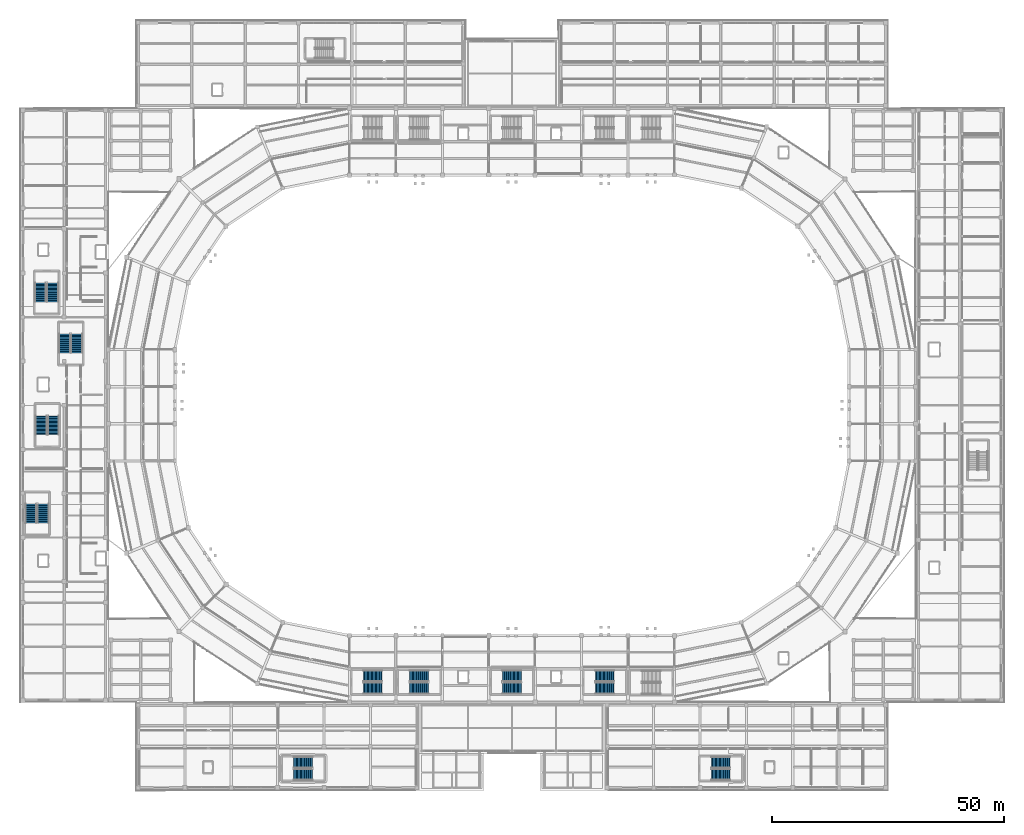
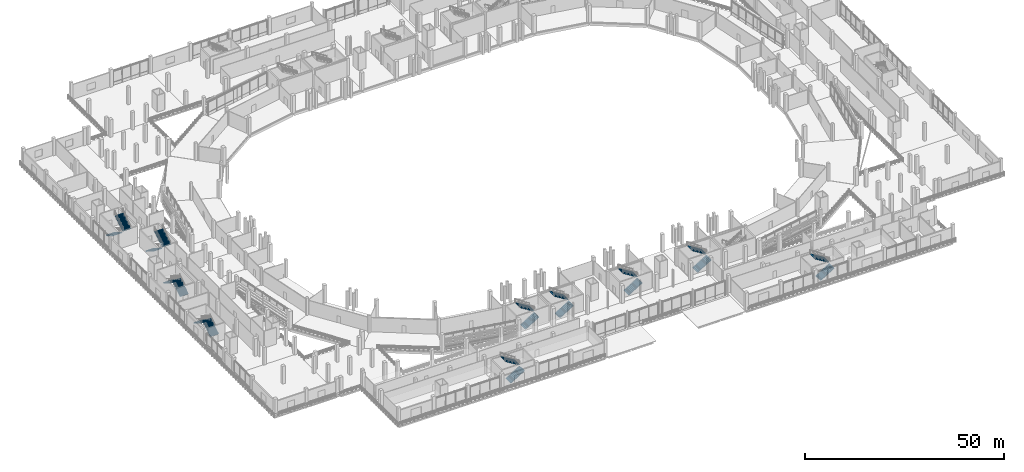
# One storey, part 86 of 114: 20 stair flights, 10 elements without a shape of their own.
"""IFC4 building model written with IfcOpenShell, lengths in metres."""

from ifc_helpers import new_model, si_unit, direction, frame, origin, place, context, subcontext, project, spatial, polyline, outline, extrude, material, type_object, element, aggregate, save


model = new_model("IFC4")

# Units and contexts
model_context = context("Model", 3, precision=1e-05, world=origin(), true_north=direction((0.0, 1.0)))
body_context = subcontext(model_context, "Body", "Model", "MODEL_VIEW")
ifc_project = project(units=[si_unit("LENGTHUNIT", "METRE"), si_unit("AREAUNIT", "SQUARE_METRE"), si_unit("VOLUMEUNIT", "CUBIC_METRE"), si_unit("PLANEANGLEUNIT", "RADIAN"), si_unit("MASSUNIT", "GRAM", prefix="KILO")], contexts=[model_context])

# Site, building, storey
site_placement = place(None, origin())
site = spatial("IfcSite", under=ifc_project, at=site_placement, CompositionType="ELEMENT")
building_placement = place(site_placement, origin())
building = spatial("IfcBuilding", under=site, at=building_placement, Name="Candeia Ridge Stadium", CompositionType="ELEMENT")
storey_placement = place(building_placement, frame((0.0, 0.0, 5.39990234375)))
storey = spatial("IfcBuildingStorey", under=building, at=storey_placement, Name="L01", CompositionType="ELEMENT", Elevation=5.39990234375)

# Stair, stair flights
ifc_material_1 = material(Name="Concrete C40/50", Category="concrete")
stair_type = type_object("IfcStairType", Name="Enclosed Core Half-Turn Stair 2450", PredefinedType="HALF_TURN_STAIR", material=ifc_material_1)
stair_1_placement = place(storey_placement, origin())
stair_1 = element("IfcStair", 1, at=stair_1_placement, inside=storey, type_object=stair_type, Name="L01 Enclosed exit stair ST02", PredefinedType="HALF_TURN_STAIR")
ifc_material_2 = material(Name="Precast concrete C40/50", Category="concrete")
stair_flight_type = type_object("IfcStairFlightType", Name="Core Precast Stair Flight 2450", PredefinedType="STRAIGHT", material=ifc_material_2)
stair_flight_1_placement = place(storey_placement, frame((73.949951171875, 22.02490234375, 0.0), z_axis=(0.0, 0.0, 1.0), x_axis=(1.0, 0.0, 0.0)))
stair_flight_1 = element("IfcStairFlight", 2, at=stair_flight_1_placement, type_object=stair_flight_type, Name="ST02 flight 1", NumberOfRisers=15, NumberOfTreads=14, PredefinedType="STRAIGHT", RiserHeight=0.18, TreadLength=0.29, context=body_context, shape_type="SweptSolid", body=[
    extrude(outline(polyline([(0.0, 0.0), (0.0, 0.179931640625), (0.2900390625, 0.179931640625), (0.2900390625, 0.360107421875), (0.580078125, 0.360107421875), (0.580078125, 0.5400390625), (0.8701171875, 0.5400390625), (0.8701171875, 0.719970703125), (1.159912109375, 0.719970703125), (1.159912109375, 0.89990234375), (1.449951171875, 0.89990234375), (1.449951171875, 1.080078125), (1.739990234375, 1.080078125), (1.739990234375, 1.260009765625), (2.030029296875, 1.260009765625), (2.030029296875, 1.43994140625), (2.320068359375, 1.43994140625), (2.320068359375, 1.6201171875), (2.610107421875, 1.6201171875), (2.610107421875, 1.800048828125), (2.89990234375, 1.800048828125), (2.89990234375, 1.97998046875), (3.18994140625, 1.97998046875), (3.18994140625, 2.159912109375), (3.47998046875, 2.159912109375), (3.47998046875, 2.340087890625), (3.77001953125, 2.340087890625), (3.77001953125, 2.52001953125), (4.06005859375, 2.52001953125), (4.06005859375, 2.699951171875), (4.06005859375, 2.331787109375), (0.30322265625, 0.0), (0.0, 0.0)])), frame((0.0, 1.22509765625, 0.0), z_axis=(0.0, -1.0, 0.0), x_axis=(1.0, 0.0, 0.0)), (0.0, 0.0, 1.0), 2.449951171875),
])
stair_flight_2_placement = place(storey_placement, frame((78.010009765625, 24.625, 2.7001953125), z_axis=(0.0, 0.0, 1.0), x_axis=(-1.0, 0.0, 0.0)))
stair_flight_2 = element("IfcStairFlight", 3, at=stair_flight_2_placement, type_object=stair_flight_type, Name="ST02 flight 2", NumberOfRisers=15, NumberOfTreads=14, PredefinedType="STRAIGHT", RiserHeight=0.18, TreadLength=0.29, context=body_context, shape_type="SweptSolid", body=[
    extrude(outline(polyline([(0.0, 0.0), (0.0, 0.179931640625), (0.2900390625, 0.179931640625), (0.2900390625, 0.360107421875), (0.580078125, 0.360107421875), (0.580078125, 0.5400390625), (0.8701171875, 0.5400390625), (0.8701171875, 0.719970703125), (1.159912109375, 0.719970703125), (1.159912109375, 0.89990234375), (1.449951171875, 0.89990234375), (1.449951171875, 1.080078125), (1.739990234375, 1.080078125), (1.739990234375, 1.260009765625), (2.030029296875, 1.260009765625), (2.030029296875, 1.43994140625), (2.320068359375, 1.43994140625), (2.320068359375, 1.6201171875), (2.610107421875, 1.6201171875), (2.610107421875, 1.800048828125), (2.89990234375, 1.800048828125), (2.89990234375, 1.97998046875), (3.18994140625, 1.97998046875), (3.18994140625, 2.159912109375), (3.47998046875, 2.159912109375), (3.47998046875, 2.340087890625), (3.77001953125, 2.340087890625), (3.77001953125, 2.52001953125), (4.06005859375, 2.52001953125), (4.06005859375, 2.699951171875), (4.06005859375, 2.331787109375), (0.30322265625, 0.0), (0.0, 0.0)])), frame((0.0, 1.22509765625, 0.0), z_axis=(0.0, -1.0, 0.0), x_axis=(1.0, 0.0, 0.0)), (0.0, 0.0, 1.0), 2.449951171875),
])
aggregate(stair_1, [stair_flight_1, stair_flight_2])

stair_2_placement = place(storey_placement, origin())
stair_2 = element("IfcStair", 4, at=stair_2_placement, inside=storey, type_object=stair_type, Name="L01 Enclosed exit stair ST05", PredefinedType="HALF_TURN_STAIR")
stair_flight_3_placement = place(storey_placement, frame((4.97509765625, 57.64990234375, 0.0), z_axis=(0.0, 0.0, 1.0), x_axis=(0.0, 1.0, 0.0)))
stair_flight_3 = element("IfcStairFlight", 5, at=stair_flight_3_placement, type_object=stair_flight_type, Name="ST05 flight 1", NumberOfRisers=15, NumberOfTreads=14, PredefinedType="STRAIGHT", RiserHeight=0.18, TreadLength=0.29, context=body_context, shape_type="SweptSolid", body=[
    extrude(outline(polyline([(0.0, 0.0), (0.0, 0.179931640625), (0.2900390625, 0.179931640625), (0.2900390625, 0.360107421875), (0.580078125, 0.360107421875), (0.580078125, 0.5400390625), (0.8701171875, 0.5400390625), (0.8701171875, 0.719970703125), (1.159912109375, 0.719970703125), (1.159912109375, 0.89990234375), (1.449951171875, 0.89990234375), (1.449951171875, 1.080078125), (1.739990234375, 1.080078125), (1.739990234375, 1.260009765625), (2.030029296875, 1.260009765625), (2.030029296875, 1.43994140625), (2.320068359375, 1.43994140625), (2.320068359375, 1.6201171875), (2.610107421875, 1.6201171875), (2.610107421875, 1.800048828125), (2.89990234375, 1.800048828125), (2.89990234375, 1.97998046875), (3.18994140625, 1.97998046875), (3.18994140625, 2.159912109375), (3.47998046875, 2.159912109375), (3.47998046875, 2.340087890625), (3.77001953125, 2.340087890625), (3.77001953125, 2.52001953125), (4.06005859375, 2.52001953125), (4.06005859375, 2.699951171875), (4.06005859375, 2.331787109375), (0.30322265625, 0.0), (0.0, 0.0)])), frame((0.0, 1.22509765625, 0.0), z_axis=(0.0, -1.0, 0.0), x_axis=(1.0, 0.0, 0.0)), (0.0, 0.0, 1.0), 2.449951171875),
])
stair_flight_4_placement = place(storey_placement, frame((2.375, 61.7099609375, 2.7001953125), z_axis=(0.0, 0.0, 1.0), x_axis=(0.0, -1.0, 0.0)))
stair_flight_4 = element("IfcStairFlight", 6, at=stair_flight_4_placement, type_object=stair_flight_type, Name="ST05 flight 2", NumberOfRisers=15, NumberOfTreads=14, PredefinedType="STRAIGHT", RiserHeight=0.18, TreadLength=0.29, context=body_context, shape_type="SweptSolid", body=[
    extrude(outline(polyline([(0.0, 0.0), (0.0, 0.179931640625), (0.2900390625, 0.179931640625), (0.2900390625, 0.360107421875), (0.580078125, 0.360107421875), (0.580078125, 0.5400390625), (0.8701171875, 0.5400390625), (0.8701171875, 0.719970703125), (1.159912109375, 0.719970703125), (1.159912109375, 0.89990234375), (1.449951171875, 0.89990234375), (1.449951171875, 1.080078125), (1.739990234375, 1.080078125), (1.739990234375, 1.260009765625), (2.030029296875, 1.260009765625), (2.030029296875, 1.43994140625), (2.320068359375, 1.43994140625), (2.320068359375, 1.6201171875), (2.610107421875, 1.6201171875), (2.610107421875, 1.800048828125), (2.89990234375, 1.800048828125), (2.89990234375, 1.97998046875), (3.18994140625, 1.97998046875), (3.18994140625, 2.159912109375), (3.47998046875, 2.159912109375), (3.47998046875, 2.340087890625), (3.77001953125, 2.340087890625), (3.77001953125, 2.52001953125), (4.06005859375, 2.52001953125), (4.06005859375, 2.699951171875), (4.06005859375, 2.331787109375), (0.30322265625, 0.0), (0.0, 0.0)])), frame((0.0, 1.22509765625, 0.0), z_axis=(0.0, -1.0, 0.0), x_axis=(1.0, 0.0, 0.0)), (0.0, 0.0, 1.0), 2.449951171875),
])
aggregate(stair_2, [stair_flight_3, stair_flight_4])

stair_3_placement = place(storey_placement, origin())
stair_3 = element("IfcStair", 7, at=stair_3_placement, inside=storey, type_object=stair_type, Name="L01 Enclosed exit stair ST06", PredefinedType="HALF_TURN_STAIR")
stair_flight_5_placement = place(storey_placement, frame((4.425048828125, 109.35009765625, 0.0), z_axis=(0.0, 0.0, 1.0), x_axis=(0.0, -1.0, 0.0)))
stair_flight_5 = element("IfcStairFlight", 8, at=stair_flight_5_placement, type_object=stair_flight_type, Name="ST06 flight 1", NumberOfRisers=15, NumberOfTreads=14, PredefinedType="STRAIGHT", RiserHeight=0.18, TreadLength=0.29, context=body_context, shape_type="SweptSolid", body=[
    extrude(outline(polyline([(0.0, 0.0), (0.0, 0.179931640625), (0.2900390625, 0.179931640625), (0.2900390625, 0.360107421875), (0.580078125, 0.360107421875), (0.580078125, 0.5400390625), (0.8701171875, 0.5400390625), (0.8701171875, 0.719970703125), (1.159912109375, 0.719970703125), (1.159912109375, 0.89990234375), (1.449951171875, 0.89990234375), (1.449951171875, 1.080078125), (1.739990234375, 1.080078125), (1.739990234375, 1.260009765625), (2.030029296875, 1.260009765625), (2.030029296875, 1.43994140625), (2.320068359375, 1.43994140625), (2.320068359375, 1.6201171875), (2.610107421875, 1.6201171875), (2.610107421875, 1.800048828125), (2.89990234375, 1.800048828125), (2.89990234375, 1.97998046875), (3.18994140625, 1.97998046875), (3.18994140625, 2.159912109375), (3.47998046875, 2.159912109375), (3.47998046875, 2.340087890625), (3.77001953125, 2.340087890625), (3.77001953125, 2.52001953125), (4.06005859375, 2.52001953125), (4.06005859375, 2.699951171875), (4.06005859375, 2.331787109375), (0.30322265625, 0.0), (0.0, 0.0)])), frame((0.0, 1.22509765625, 0.0), z_axis=(0.0, -1.0, 0.0), x_axis=(1.0, 0.0, 0.0)), (0.0, 0.0, 1.0), 2.449951171875),
])
stair_flight_6_placement = place(storey_placement, frame((7.02490234375, 105.2900390625, 2.7001953125), z_axis=(0.0, 0.0, 1.0), x_axis=(0.0, 1.0, 0.0)))
stair_flight_6 = element("IfcStairFlight", 9, at=stair_flight_6_placement, type_object=stair_flight_type, Name="ST06 flight 2", NumberOfRisers=15, NumberOfTreads=14, PredefinedType="STRAIGHT", RiserHeight=0.18, TreadLength=0.29, context=body_context, shape_type="SweptSolid", body=[
    extrude(outline(polyline([(0.0, 0.0), (0.0, 0.179931640625), (0.2900390625, 0.179931640625), (0.2900390625, 0.360107421875), (0.580078125, 0.360107421875), (0.580078125, 0.5400390625), (0.8701171875, 0.5400390625), (0.8701171875, 0.719970703125), (1.159912109375, 0.719970703125), (1.159912109375, 0.89990234375), (1.449951171875, 0.89990234375), (1.449951171875, 1.080078125), (1.739990234375, 1.080078125), (1.739990234375, 1.260009765625), (2.030029296875, 1.260009765625), (2.030029296875, 1.43994140625), (2.320068359375, 1.43994140625), (2.320068359375, 1.6201171875), (2.610107421875, 1.6201171875), (2.610107421875, 1.800048828125), (2.89990234375, 1.800048828125), (2.89990234375, 1.97998046875), (3.18994140625, 1.97998046875), (3.18994140625, 2.159912109375), (3.47998046875, 2.159912109375), (3.47998046875, 2.340087890625), (3.77001953125, 2.340087890625), (3.77001953125, 2.52001953125), (4.06005859375, 2.52001953125), (4.06005859375, 2.699951171875), (4.06005859375, 2.331787109375), (0.30322265625, 0.0), (0.0, 0.0)])), frame((0.0, 1.22509765625, 0.0), z_axis=(0.0, -1.0, 0.0), x_axis=(1.0, 0.0, 0.0)), (0.0, 0.0, 1.0), 2.449951171875),
])
aggregate(stair_3, [stair_flight_5, stair_flight_6])

stair_4_placement = place(storey_placement, origin())
stair_4 = element("IfcStair", 10, at=stair_4_placement, inside=storey, type_object=stair_type, Name="L01 Enclosed exit stair ST07", PredefinedType="HALF_TURN_STAIR")
stair_flight_7_placement = place(storey_placement, frame((7.175048828125, 76.64990234375, 0.0), z_axis=(0.0, 0.0, 1.0), x_axis=(0.0, 1.0, 0.0)))
stair_flight_7 = element("IfcStairFlight", 11, at=stair_flight_7_placement, type_object=stair_flight_type, Name="ST07 flight 1", NumberOfRisers=15, NumberOfTreads=14, PredefinedType="STRAIGHT", RiserHeight=0.18, TreadLength=0.29, context=body_context, shape_type="SweptSolid", body=[
    extrude(outline(polyline([(0.0, 0.0), (0.0, 0.179931640625), (0.2900390625, 0.179931640625), (0.2900390625, 0.360107421875), (0.580078125, 0.360107421875), (0.580078125, 0.5400390625), (0.8701171875, 0.5400390625), (0.8701171875, 0.719970703125), (1.159912109375, 0.719970703125), (1.159912109375, 0.89990234375), (1.449951171875, 0.89990234375), (1.449951171875, 1.080078125), (1.739990234375, 1.080078125), (1.739990234375, 1.260009765625), (2.030029296875, 1.260009765625), (2.030029296875, 1.43994140625), (2.320068359375, 1.43994140625), (2.320068359375, 1.6201171875), (2.610107421875, 1.6201171875), (2.610107421875, 1.800048828125), (2.89990234375, 1.800048828125), (2.89990234375, 1.97998046875), (3.18994140625, 1.97998046875), (3.18994140625, 2.159912109375), (3.47998046875, 2.159912109375), (3.47998046875, 2.340087890625), (3.77001953125, 2.340087890625), (3.77001953125, 2.52001953125), (4.06005859375, 2.52001953125), (4.06005859375, 2.699951171875), (4.06005859375, 2.331787109375), (0.30322265625, 0.0), (0.0, 0.0)])), frame((0.0, 1.22509765625, 0.0), z_axis=(0.0, -1.0, 0.0), x_axis=(1.0, 0.0, 0.0)), (0.0, 0.0, 1.0), 2.449951171875),
])
stair_flight_8_placement = place(storey_placement, frame((4.574951171875, 80.7099609375, 2.7001953125), z_axis=(0.0, 0.0, 1.0), x_axis=(0.0, -1.0, 0.0)))
stair_flight_8 = element("IfcStairFlight", 12, at=stair_flight_8_placement, type_object=stair_flight_type, Name="ST07 flight 2", NumberOfRisers=15, NumberOfTreads=14, PredefinedType="STRAIGHT", RiserHeight=0.18, TreadLength=0.29, context=body_context, shape_type="SweptSolid", body=[
    extrude(outline(polyline([(0.0, 0.0), (0.0, 0.179931640625), (0.2900390625, 0.179931640625), (0.2900390625, 0.360107421875), (0.580078125, 0.360107421875), (0.580078125, 0.5400390625), (0.8701171875, 0.5400390625), (0.8701171875, 0.719970703125), (1.159912109375, 0.719970703125), (1.159912109375, 0.89990234375), (1.449951171875, 0.89990234375), (1.449951171875, 1.080078125), (1.739990234375, 1.080078125), (1.739990234375, 1.260009765625), (2.030029296875, 1.260009765625), (2.030029296875, 1.43994140625), (2.320068359375, 1.43994140625), (2.320068359375, 1.6201171875), (2.610107421875, 1.6201171875), (2.610107421875, 1.800048828125), (2.89990234375, 1.800048828125), (2.89990234375, 1.97998046875), (3.18994140625, 1.97998046875), (3.18994140625, 2.159912109375), (3.47998046875, 2.159912109375), (3.47998046875, 2.340087890625), (3.77001953125, 2.340087890625), (3.77001953125, 2.52001953125), (4.06005859375, 2.52001953125), (4.06005859375, 2.699951171875), (4.06005859375, 2.331787109375), (0.30322265625, 0.0), (0.0, 0.0)])), frame((0.0, 1.22509765625, 0.0), z_axis=(0.0, -1.0, 0.0), x_axis=(1.0, 0.0, 0.0)), (0.0, 0.0, 1.0), 2.449951171875),
])
aggregate(stair_4, [stair_flight_7, stair_flight_8])

stair_5_placement = place(storey_placement, origin())
stair_5 = element("IfcStair", 13, at=stair_5_placement, inside=storey, type_object=stair_type, Name="L01 Enclosed exit stair ST08", PredefinedType="HALF_TURN_STAIR")
stair_flight_9_placement = place(storey_placement, frame((9.625, 98.35009765625, 0.0), z_axis=(0.0, 0.0, 1.0), x_axis=(0.0, -1.0, 0.0)))
stair_flight_9 = element("IfcStairFlight", 14, at=stair_flight_9_placement, type_object=stair_flight_type, Name="ST08 flight 1", NumberOfRisers=15, NumberOfTreads=14, PredefinedType="STRAIGHT", RiserHeight=0.18, TreadLength=0.29, context=body_context, shape_type="SweptSolid", body=[
    extrude(outline(polyline([(0.0, 0.0), (0.0, 0.179931640625), (0.2900390625, 0.179931640625), (0.2900390625, 0.360107421875), (0.580078125, 0.360107421875), (0.580078125, 0.5400390625), (0.8701171875, 0.5400390625), (0.8701171875, 0.719970703125), (1.159912109375, 0.719970703125), (1.159912109375, 0.89990234375), (1.449951171875, 0.89990234375), (1.449951171875, 1.080078125), (1.739990234375, 1.080078125), (1.739990234375, 1.260009765625), (2.030029296875, 1.260009765625), (2.030029296875, 1.43994140625), (2.320068359375, 1.43994140625), (2.320068359375, 1.6201171875), (2.610107421875, 1.6201171875), (2.610107421875, 1.800048828125), (2.89990234375, 1.800048828125), (2.89990234375, 1.97998046875), (3.18994140625, 1.97998046875), (3.18994140625, 2.159912109375), (3.47998046875, 2.159912109375), (3.47998046875, 2.340087890625), (3.77001953125, 2.340087890625), (3.77001953125, 2.52001953125), (4.06005859375, 2.52001953125), (4.06005859375, 2.699951171875), (4.06005859375, 2.331787109375), (0.30322265625, 0.0), (0.0, 0.0)])), frame((0.0, 1.22509765625, 0.0), z_axis=(0.0, -1.0, 0.0), x_axis=(1.0, 0.0, 0.0)), (0.0, 0.0, 1.0), 2.449951171875),
])
stair_flight_10_placement = place(storey_placement, frame((12.22509765625, 94.2900390625, 2.7001953125), z_axis=(0.0, 0.0, 1.0), x_axis=(0.0, 1.0, 0.0)))
stair_flight_10 = element("IfcStairFlight", 15, at=stair_flight_10_placement, type_object=stair_flight_type, Name="ST08 flight 2", NumberOfRisers=15, NumberOfTreads=14, PredefinedType="STRAIGHT", RiserHeight=0.18, TreadLength=0.29, context=body_context, shape_type="SweptSolid", body=[
    extrude(outline(polyline([(0.0, 0.0), (0.0, 0.179931640625), (0.2900390625, 0.179931640625), (0.2900390625, 0.360107421875), (0.580078125, 0.360107421875), (0.580078125, 0.5400390625), (0.8701171875, 0.5400390625), (0.8701171875, 0.719970703125), (1.159912109375, 0.719970703125), (1.159912109375, 0.89990234375), (1.449951171875, 0.89990234375), (1.449951171875, 1.080078125), (1.739990234375, 1.080078125), (1.739990234375, 1.260009765625), (2.030029296875, 1.260009765625), (2.030029296875, 1.43994140625), (2.320068359375, 1.43994140625), (2.320068359375, 1.6201171875), (2.610107421875, 1.6201171875), (2.610107421875, 1.800048828125), (2.89990234375, 1.800048828125), (2.89990234375, 1.97998046875), (3.18994140625, 1.97998046875), (3.18994140625, 2.159912109375), (3.47998046875, 2.159912109375), (3.47998046875, 2.340087890625), (3.77001953125, 2.340087890625), (3.77001953125, 2.52001953125), (4.06005859375, 2.52001953125), (4.06005859375, 2.699951171875), (4.06005859375, 2.331787109375), (0.30322265625, 0.0), (0.0, 0.0)])), frame((0.0, 1.22509765625, 0.0), z_axis=(0.0, -1.0, 0.0), x_axis=(1.0, 0.0, 0.0)), (0.0, 0.0, 1.0), 2.449951171875),
])
aggregate(stair_5, [stair_flight_9, stair_flight_10])

stair_6_placement = place(storey_placement, origin())
stair_6 = element("IfcStair", 16, at=stair_6_placement, inside=storey, type_object=stair_type, Name="L01 Enclosed exit stair ST11", PredefinedType="HALF_TURN_STAIR")
stair_flight_11_placement = place(storey_placement, frame((83.949951171875, 22.02490234375, 0.0), z_axis=(0.0, 0.0, 1.0), x_axis=(1.0, 0.0, 0.0)))
stair_flight_11 = element("IfcStairFlight", 17, at=stair_flight_11_placement, type_object=stair_flight_type, Name="ST11 flight 1", NumberOfRisers=15, NumberOfTreads=14, PredefinedType="STRAIGHT", RiserHeight=0.18, TreadLength=0.29, context=body_context, shape_type="SweptSolid", body=[
    extrude(outline(polyline([(0.0, 0.0), (0.0, 0.179931640625), (0.2900390625, 0.179931640625), (0.2900390625, 0.360107421875), (0.580078125, 0.360107421875), (0.580078125, 0.5400390625), (0.8701171875, 0.5400390625), (0.8701171875, 0.719970703125), (1.159912109375, 0.719970703125), (1.159912109375, 0.89990234375), (1.449951171875, 0.89990234375), (1.449951171875, 1.080078125), (1.739990234375, 1.080078125), (1.739990234375, 1.260009765625), (2.030029296875, 1.260009765625), (2.030029296875, 1.43994140625), (2.320068359375, 1.43994140625), (2.320068359375, 1.6201171875), (2.610107421875, 1.6201171875), (2.610107421875, 1.800048828125), (2.89990234375, 1.800048828125), (2.89990234375, 1.97998046875), (3.18994140625, 1.97998046875), (3.18994140625, 2.159912109375), (3.47998046875, 2.159912109375), (3.47998046875, 2.340087890625), (3.77001953125, 2.340087890625), (3.77001953125, 2.52001953125), (4.06005859375, 2.52001953125), (4.06005859375, 2.699951171875), (4.06005859375, 2.331787109375), (0.30322265625, 0.0), (0.0, 0.0)])), frame((0.0, 1.22509765625, 0.0), z_axis=(0.0, -1.0, 0.0), x_axis=(1.0, 0.0, 0.0)), (0.0, 0.0, 1.0), 2.449951171875),
])
stair_flight_12_placement = place(storey_placement, frame((88.010009765625, 24.625, 2.7001953125), z_axis=(0.0, 0.0, 1.0), x_axis=(-1.0, 0.0, 0.0)))
stair_flight_12 = element("IfcStairFlight", 18, at=stair_flight_12_placement, type_object=stair_flight_type, Name="ST11 flight 2", NumberOfRisers=15, NumberOfTreads=14, PredefinedType="STRAIGHT", RiserHeight=0.18, TreadLength=0.29, context=body_context, shape_type="SweptSolid", body=[
    extrude(outline(polyline([(0.0, 0.0), (0.0, 0.179931640625), (0.2900390625, 0.179931640625), (0.2900390625, 0.360107421875), (0.580078125, 0.360107421875), (0.580078125, 0.5400390625), (0.8701171875, 0.5400390625), (0.8701171875, 0.719970703125), (1.159912109375, 0.719970703125), (1.159912109375, 0.89990234375), (1.449951171875, 0.89990234375), (1.449951171875, 1.080078125), (1.739990234375, 1.080078125), (1.739990234375, 1.260009765625), (2.030029296875, 1.260009765625), (2.030029296875, 1.43994140625), (2.320068359375, 1.43994140625), (2.320068359375, 1.6201171875), (2.610107421875, 1.6201171875), (2.610107421875, 1.800048828125), (2.89990234375, 1.800048828125), (2.89990234375, 1.97998046875), (3.18994140625, 1.97998046875), (3.18994140625, 2.159912109375), (3.47998046875, 2.159912109375), (3.47998046875, 2.340087890625), (3.77001953125, 2.340087890625), (3.77001953125, 2.52001953125), (4.06005859375, 2.52001953125), (4.06005859375, 2.699951171875), (4.06005859375, 2.331787109375), (0.30322265625, 0.0), (0.0, 0.0)])), frame((0.0, 1.22509765625, 0.0), z_axis=(0.0, -1.0, 0.0), x_axis=(1.0, 0.0, 0.0)), (0.0, 0.0, 1.0), 2.449951171875),
])
aggregate(stair_6, [stair_flight_11, stair_flight_12])

stair_7_placement = place(storey_placement, origin())
stair_7 = element("IfcStair", 19, at=stair_7_placement, inside=storey, type_object=stair_type, Name="L01 Enclosed exit stair ST12", PredefinedType="HALF_TURN_STAIR")
stair_flight_13_placement = place(storey_placement, frame((123.949951171875, 22.02490234375, 0.0), z_axis=(0.0, 0.0, 1.0), x_axis=(1.0, 0.0, 0.0)))
stair_flight_13 = element("IfcStairFlight", 20, at=stair_flight_13_placement, type_object=stair_flight_type, Name="ST12 flight 1", NumberOfRisers=15, NumberOfTreads=14, PredefinedType="STRAIGHT", RiserHeight=0.18, TreadLength=0.29, context=body_context, shape_type="SweptSolid", body=[
    extrude(outline(polyline([(0.0, 0.0), (0.0, 0.179931640625), (0.2900390625, 0.179931640625), (0.2900390625, 0.360107421875), (0.580078125, 0.360107421875), (0.580078125, 0.5400390625), (0.8701171875, 0.5400390625), (0.8701171875, 0.719970703125), (1.159912109375, 0.719970703125), (1.159912109375, 0.89990234375), (1.449951171875, 0.89990234375), (1.449951171875, 1.080078125), (1.739990234375, 1.080078125), (1.739990234375, 1.260009765625), (2.030029296875, 1.260009765625), (2.030029296875, 1.43994140625), (2.320068359375, 1.43994140625), (2.320068359375, 1.6201171875), (2.610107421875, 1.6201171875), (2.610107421875, 1.800048828125), (2.89990234375, 1.800048828125), (2.89990234375, 1.97998046875), (3.18994140625, 1.97998046875), (3.18994140625, 2.159912109375), (3.47998046875, 2.159912109375), (3.47998046875, 2.340087890625), (3.77001953125, 2.340087890625), (3.77001953125, 2.52001953125), (4.06005859375, 2.52001953125), (4.06005859375, 2.699951171875), (4.06005859375, 2.331787109375), (0.30322265625, 0.0), (0.0, 0.0)])), frame((0.0, 1.22509765625, 0.0), z_axis=(0.0, -1.0, 0.0), x_axis=(1.0, 0.0, 0.0)), (0.0, 0.0, 1.0), 2.449951171875),
])
stair_flight_14_placement = place(storey_placement, frame((128.010009765625, 24.625, 2.7001953125), z_axis=(0.0, 0.0, 1.0), x_axis=(-1.0, 0.0, 0.0)))
stair_flight_14 = element("IfcStairFlight", 21, at=stair_flight_14_placement, type_object=stair_flight_type, Name="ST12 flight 2", NumberOfRisers=15, NumberOfTreads=14, PredefinedType="STRAIGHT", RiserHeight=0.18, TreadLength=0.29, context=body_context, shape_type="SweptSolid", body=[
    extrude(outline(polyline([(0.0, 0.0), (0.0, 0.179931640625), (0.2900390625, 0.179931640625), (0.2900390625, 0.360107421875), (0.580078125, 0.360107421875), (0.580078125, 0.5400390625), (0.8701171875, 0.5400390625), (0.8701171875, 0.719970703125), (1.159912109375, 0.719970703125), (1.159912109375, 0.89990234375), (1.449951171875, 0.89990234375), (1.449951171875, 1.080078125), (1.739990234375, 1.080078125), (1.739990234375, 1.260009765625), (2.030029296875, 1.260009765625), (2.030029296875, 1.43994140625), (2.320068359375, 1.43994140625), (2.320068359375, 1.6201171875), (2.610107421875, 1.6201171875), (2.610107421875, 1.800048828125), (2.89990234375, 1.800048828125), (2.89990234375, 1.97998046875), (3.18994140625, 1.97998046875), (3.18994140625, 2.159912109375), (3.47998046875, 2.159912109375), (3.47998046875, 2.340087890625), (3.77001953125, 2.340087890625), (3.77001953125, 2.52001953125), (4.06005859375, 2.52001953125), (4.06005859375, 2.699951171875), (4.06005859375, 2.331787109375), (0.30322265625, 0.0), (0.0, 0.0)])), frame((0.0, 1.22509765625, 0.0), z_axis=(0.0, -1.0, 0.0), x_axis=(1.0, 0.0, 0.0)), (0.0, 0.0, 1.0), 2.449951171875),
])
aggregate(stair_7, [stair_flight_13, stair_flight_14])

stair_8_placement = place(storey_placement, origin())
stair_8 = element("IfcStair", 22, at=stair_8_placement, inside=storey, type_object=stair_type, Name="L01 Enclosed exit stair ST13", PredefinedType="HALF_TURN_STAIR")
stair_flight_15_placement = place(storey_placement, frame((58.949951171875, 3.425048828125, 0.0), z_axis=(0.0, 0.0, 1.0), x_axis=(1.0, 0.0, 0.0)))
stair_flight_15 = element("IfcStairFlight", 23, at=stair_flight_15_placement, type_object=stair_flight_type, Name="ST13 flight 1", NumberOfRisers=15, NumberOfTreads=14, PredefinedType="STRAIGHT", RiserHeight=0.18, TreadLength=0.29, context=body_context, shape_type="SweptSolid", body=[
    extrude(outline(polyline([(0.0, 0.0), (0.0, 0.179931640625), (0.2900390625, 0.179931640625), (0.2900390625, 0.360107421875), (0.580078125, 0.360107421875), (0.580078125, 0.5400390625), (0.8701171875, 0.5400390625), (0.8701171875, 0.719970703125), (1.159912109375, 0.719970703125), (1.159912109375, 0.89990234375), (1.449951171875, 0.89990234375), (1.449951171875, 1.080078125), (1.739990234375, 1.080078125), (1.739990234375, 1.260009765625), (2.030029296875, 1.260009765625), (2.030029296875, 1.43994140625), (2.320068359375, 1.43994140625), (2.320068359375, 1.6201171875), (2.610107421875, 1.6201171875), (2.610107421875, 1.800048828125), (2.89990234375, 1.800048828125), (2.89990234375, 1.97998046875), (3.18994140625, 1.97998046875), (3.18994140625, 2.159912109375), (3.47998046875, 2.159912109375), (3.47998046875, 2.340087890625), (3.77001953125, 2.340087890625), (3.77001953125, 2.52001953125), (4.06005859375, 2.52001953125), (4.06005859375, 2.699951171875), (4.06005859375, 2.331787109375), (0.30322265625, 0.0), (0.0, 0.0)])), frame((0.0, 1.22509765625, 0.0), z_axis=(0.0, -1.0, 0.0), x_axis=(1.0, 0.0, 0.0)), (0.0, 0.0, 1.0), 2.449951171875),
])
stair_flight_16_placement = place(storey_placement, frame((63.010009765625, 6.02490234375, 2.7001953125), z_axis=(0.0, 0.0, 1.0), x_axis=(-1.0, 0.0, 0.0)))
stair_flight_16 = element("IfcStairFlight", 24, at=stair_flight_16_placement, type_object=stair_flight_type, Name="ST13 flight 2", NumberOfRisers=15, NumberOfTreads=14, PredefinedType="STRAIGHT", RiserHeight=0.18, TreadLength=0.29, context=body_context, shape_type="SweptSolid", body=[
    extrude(outline(polyline([(0.0, 0.0), (0.0, 0.179931640625), (0.2900390625, 0.179931640625), (0.2900390625, 0.360107421875), (0.580078125, 0.360107421875), (0.580078125, 0.5400390625), (0.8701171875, 0.5400390625), (0.8701171875, 0.719970703125), (1.159912109375, 0.719970703125), (1.159912109375, 0.89990234375), (1.449951171875, 0.89990234375), (1.449951171875, 1.080078125), (1.739990234375, 1.080078125), (1.739990234375, 1.260009765625), (2.030029296875, 1.260009765625), (2.030029296875, 1.43994140625), (2.320068359375, 1.43994140625), (2.320068359375, 1.6201171875), (2.610107421875, 1.6201171875), (2.610107421875, 1.800048828125), (2.89990234375, 1.800048828125), (2.89990234375, 1.97998046875), (3.18994140625, 1.97998046875), (3.18994140625, 2.159912109375), (3.47998046875, 2.159912109375), (3.47998046875, 2.340087890625), (3.77001953125, 2.340087890625), (3.77001953125, 2.52001953125), (4.06005859375, 2.52001953125), (4.06005859375, 2.699951171875), (4.06005859375, 2.331787109375), (0.30322265625, 0.0), (0.0, 0.0)])), frame((0.0, 1.22509765625, 0.0), z_axis=(0.0, -1.0, 0.0), x_axis=(1.0, 0.0, 0.0)), (0.0, 0.0, 1.0), 2.449951171875),
])
aggregate(stair_8, [stair_flight_15, stair_flight_16])

stair_9_placement = place(storey_placement, origin())
stair_9 = element("IfcStair", 25, at=stair_9_placement, inside=storey, type_object=stair_type, Name="L01 Enclosed exit stair ST14", PredefinedType="HALF_TURN_STAIR")
stair_flight_17_placement = place(storey_placement, frame((148.949951171875, 3.425048828125, 0.0), z_axis=(0.0, 0.0, 1.0), x_axis=(1.0, 0.0, 0.0)))
stair_flight_17 = element("IfcStairFlight", 26, at=stair_flight_17_placement, type_object=stair_flight_type, Name="ST14 flight 1", NumberOfRisers=15, NumberOfTreads=14, PredefinedType="STRAIGHT", RiserHeight=0.18, TreadLength=0.29, context=body_context, shape_type="SweptSolid", body=[
    extrude(outline(polyline([(0.0, 0.0), (0.0, 0.179931640625), (0.2900390625, 0.179931640625), (0.2900390625, 0.360107421875), (0.580078125, 0.360107421875), (0.580078125, 0.5400390625), (0.8701171875, 0.5400390625), (0.8701171875, 0.719970703125), (1.159912109375, 0.719970703125), (1.159912109375, 0.89990234375), (1.449951171875, 0.89990234375), (1.449951171875, 1.080078125), (1.739990234375, 1.080078125), (1.739990234375, 1.260009765625), (2.030029296875, 1.260009765625), (2.030029296875, 1.43994140625), (2.320068359375, 1.43994140625), (2.320068359375, 1.6201171875), (2.610107421875, 1.6201171875), (2.610107421875, 1.800048828125), (2.89990234375, 1.800048828125), (2.89990234375, 1.97998046875), (3.18994140625, 1.97998046875), (3.18994140625, 2.159912109375), (3.47998046875, 2.159912109375), (3.47998046875, 2.340087890625), (3.77001953125, 2.340087890625), (3.77001953125, 2.52001953125), (4.06005859375, 2.52001953125), (4.06005859375, 2.699951171875), (4.06005859375, 2.331787109375), (0.30322265625, 0.0), (0.0, 0.0)])), frame((0.0, 1.22509765625, 0.0), z_axis=(0.0, -1.0, 0.0), x_axis=(1.0, 0.0, 0.0)), (0.0, 0.0, 1.0), 2.449951171875),
])
stair_flight_18_placement = place(storey_placement, frame((153.010009765625, 6.02490234375, 2.7001953125), z_axis=(0.0, 0.0, 1.0), x_axis=(-1.0, 0.0, 0.0)))
stair_flight_18 = element("IfcStairFlight", 27, at=stair_flight_18_placement, type_object=stair_flight_type, Name="ST14 flight 2", NumberOfRisers=15, NumberOfTreads=14, PredefinedType="STRAIGHT", RiserHeight=0.18, TreadLength=0.29, context=body_context, shape_type="SweptSolid", body=[
    extrude(outline(polyline([(0.0, 0.0), (0.0, 0.179931640625), (0.2900390625, 0.179931640625), (0.2900390625, 0.360107421875), (0.580078125, 0.360107421875), (0.580078125, 0.5400390625), (0.8701171875, 0.5400390625), (0.8701171875, 0.719970703125), (1.159912109375, 0.719970703125), (1.159912109375, 0.89990234375), (1.449951171875, 0.89990234375), (1.449951171875, 1.080078125), (1.739990234375, 1.080078125), (1.739990234375, 1.260009765625), (2.030029296875, 1.260009765625), (2.030029296875, 1.43994140625), (2.320068359375, 1.43994140625), (2.320068359375, 1.6201171875), (2.610107421875, 1.6201171875), (2.610107421875, 1.800048828125), (2.89990234375, 1.800048828125), (2.89990234375, 1.97998046875), (3.18994140625, 1.97998046875), (3.18994140625, 2.159912109375), (3.47998046875, 2.159912109375), (3.47998046875, 2.340087890625), (3.77001953125, 2.340087890625), (3.77001953125, 2.52001953125), (4.06005859375, 2.52001953125), (4.06005859375, 2.699951171875), (4.06005859375, 2.331787109375), (0.30322265625, 0.0), (0.0, 0.0)])), frame((0.0, 1.22509765625, 0.0), z_axis=(0.0, -1.0, 0.0), x_axis=(1.0, 0.0, 0.0)), (0.0, 0.0, 1.0), 2.449951171875),
])
aggregate(stair_9, [stair_flight_17, stair_flight_18])

stair_10_placement = place(storey_placement, origin())
stair_10 = element("IfcStair", 28, at=stair_10_placement, inside=storey, type_object=stair_type, Name="L01 Enclosed exit stair ST18", PredefinedType="HALF_TURN_STAIR")
stair_flight_19_placement = place(storey_placement, frame((103.949951171875, 22.02490234375, 0.0), z_axis=(0.0, 0.0, 1.0), x_axis=(1.0, 0.0, 0.0)))
stair_flight_19 = element("IfcStairFlight", 29, at=stair_flight_19_placement, type_object=stair_flight_type, Name="ST18 flight 1", NumberOfRisers=15, NumberOfTreads=14, PredefinedType="STRAIGHT", RiserHeight=0.18, TreadLength=0.29, context=body_context, shape_type="SweptSolid", body=[
    extrude(outline(polyline([(0.0, 0.0), (0.0, 0.179931640625), (0.2900390625, 0.179931640625), (0.2900390625, 0.360107421875), (0.580078125, 0.360107421875), (0.580078125, 0.5400390625), (0.8701171875, 0.5400390625), (0.8701171875, 0.719970703125), (1.159912109375, 0.719970703125), (1.159912109375, 0.89990234375), (1.449951171875, 0.89990234375), (1.449951171875, 1.080078125), (1.739990234375, 1.080078125), (1.739990234375, 1.260009765625), (2.030029296875, 1.260009765625), (2.030029296875, 1.43994140625), (2.320068359375, 1.43994140625), (2.320068359375, 1.6201171875), (2.610107421875, 1.6201171875), (2.610107421875, 1.800048828125), (2.89990234375, 1.800048828125), (2.89990234375, 1.97998046875), (3.18994140625, 1.97998046875), (3.18994140625, 2.159912109375), (3.47998046875, 2.159912109375), (3.47998046875, 2.340087890625), (3.77001953125, 2.340087890625), (3.77001953125, 2.52001953125), (4.06005859375, 2.52001953125), (4.06005859375, 2.699951171875), (4.06005859375, 2.331787109375), (0.30322265625, 0.0), (0.0, 0.0)])), frame((0.0, 1.22509765625, 0.0), z_axis=(0.0, -1.0, 0.0), x_axis=(1.0, 0.0, 0.0)), (0.0, 0.0, 1.0), 2.449951171875),
])
stair_flight_20_placement = place(storey_placement, frame((108.010009765625, 24.625, 2.7001953125), z_axis=(0.0, 0.0, 1.0), x_axis=(-1.0, 0.0, 0.0)))
stair_flight_20 = element("IfcStairFlight", 30, at=stair_flight_20_placement, type_object=stair_flight_type, Name="ST18 flight 2", NumberOfRisers=15, NumberOfTreads=14, PredefinedType="STRAIGHT", RiserHeight=0.18, TreadLength=0.29, context=body_context, shape_type="SweptSolid", body=[
    extrude(outline(polyline([(0.0, 0.0), (0.0, 0.179931640625), (0.2900390625, 0.179931640625), (0.2900390625, 0.360107421875), (0.580078125, 0.360107421875), (0.580078125, 0.5400390625), (0.8701171875, 0.5400390625), (0.8701171875, 0.719970703125), (1.159912109375, 0.719970703125), (1.159912109375, 0.89990234375), (1.449951171875, 0.89990234375), (1.449951171875, 1.080078125), (1.739990234375, 1.080078125), (1.739990234375, 1.260009765625), (2.030029296875, 1.260009765625), (2.030029296875, 1.43994140625), (2.320068359375, 1.43994140625), (2.320068359375, 1.6201171875), (2.610107421875, 1.6201171875), (2.610107421875, 1.800048828125), (2.89990234375, 1.800048828125), (2.89990234375, 1.97998046875), (3.18994140625, 1.97998046875), (3.18994140625, 2.159912109375), (3.47998046875, 2.159912109375), (3.47998046875, 2.340087890625), (3.77001953125, 2.340087890625), (3.77001953125, 2.52001953125), (4.06005859375, 2.52001953125), (4.06005859375, 2.699951171875), (4.06005859375, 2.331787109375), (0.30322265625, 0.0), (0.0, 0.0)])), frame((0.0, 1.22509765625, 0.0), z_axis=(0.0, -1.0, 0.0), x_axis=(1.0, 0.0, 0.0)), (0.0, 0.0, 1.0), 2.449951171875),
])
aggregate(stair_10, [stair_flight_19, stair_flight_20])

save(model, "model.ifc")
